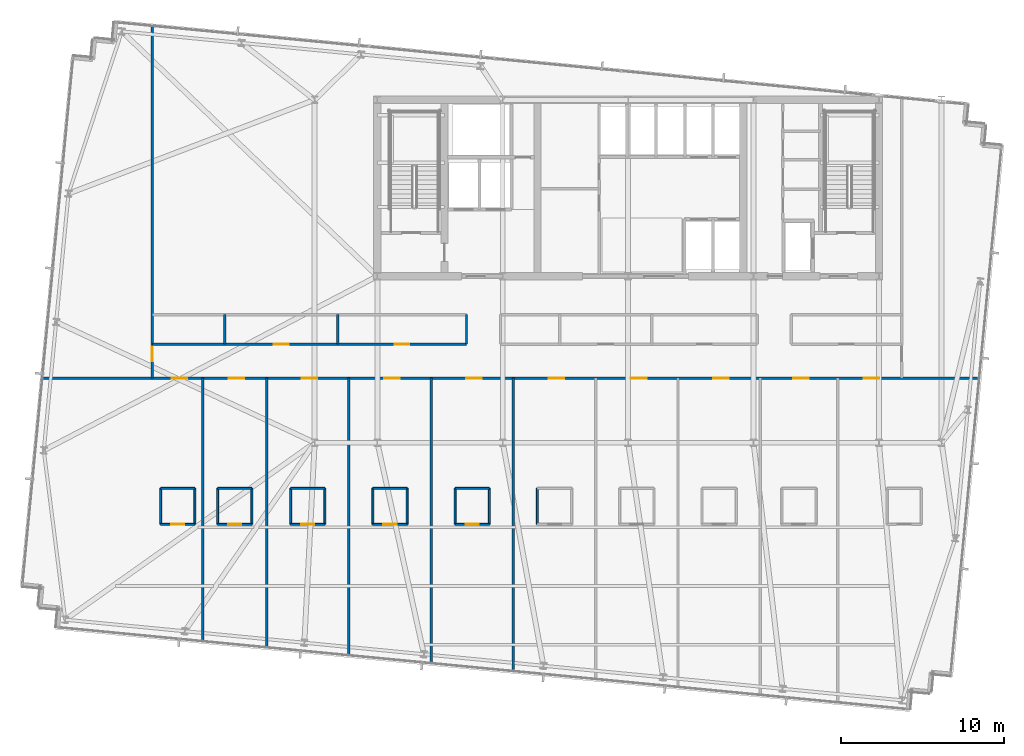
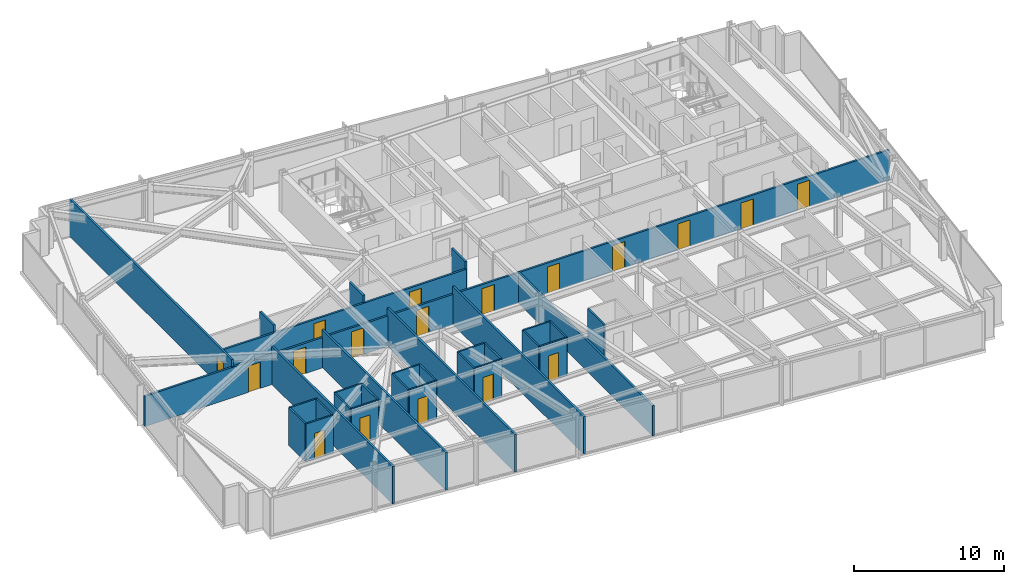
# One storey, part 29 of 38: 32 walls, 18 doors, 18 openings.
"""IFC4 building model written with IfcOpenShell, lengths in metres."""

from ifc_helpers import new_model, si_unit, direction, frame, frame_2d, origin, place, context, subcontext, project, spatial, rectangle, extrude, material, layer, layer_set, type_object, element, fill, save


model = new_model("IFC4")

# Units and contexts
model_context = context("Model", 3, precision=1e-05, world=origin(), true_north=direction((0.0, 1.0)))
body_context = subcontext(model_context, "Body", "Model", "MODEL_VIEW")
ifc_project = project(units=[si_unit("LENGTHUNIT", "METRE"), si_unit("AREAUNIT", "SQUARE_METRE"), si_unit("VOLUMEUNIT", "CUBIC_METRE"), si_unit("PLANEANGLEUNIT", "RADIAN"), si_unit("MASSUNIT", "GRAM", prefix="KILO")], contexts=[model_context])

# Site, building, storey
site_placement = place(None, origin())
site = spatial("IfcSite", under=ifc_project, at=site_placement, CompositionType="ELEMENT")
building_placement = place(site_placement, origin())
building = spatial("IfcBuilding", under=site, at=building_placement, Name="Yelkora Congress Tower", CompositionType="ELEMENT")
storey_placement = place(building_placement, frame((0.0, 0.0, 178.699951171875)))
storey = spatial("IfcBuildingStorey", under=building, at=storey_placement, Name="L49", CompositionType="ELEMENT", Elevation=178.699951171875)

# Walls
ifc_material_1 = material(Name="Moisture-resistant gypsum partition", Category="gypsum")
ifc_layer_1 = layer(ifc_material_1, 0.1201171875)
ifc_layer_set_1 = layer_set([ifc_layer_1], Name="Moisture-resistant gypsum partition")
wall_type_1 = type_object("IfcWallType", Name="WALL-INT-120-NR", PredefinedType="PARTITIONING", material=ifc_layer_set_1)
wall_1_placement = place(storey_placement, frame((9.758056640625, 22.39990234375, 0.0), z_axis=(0.0, 0.0, 1.0), x_axis=(1.0, 0.0, 0.0)))
element("IfcWall", 1, at=wall_1_placement, inside=storey, type_object=wall_type_1, Name="L49 Partition Wall 28", PredefinedType="PARTITIONING", context=body_context, shape_type="SweptSolid", body=[
    extrude(rectangle(XDim=2.099853515625, YDim=0.1201171875, at=frame_2d((1.0498046875, 0.0))), origin(), (0.0, 0.0, 1.0), 3.080078125),
])
for number, where, z_axis, x_axis, name in (
    (2, (9.758056640625, 20.199951171875, 0.0), (0.0, 0.0, 1.0), (0.0, 1.0, 0.0), "L49 Partition Wall 29"),
    (3, (11.85791015625, 20.199951171875, 0.0), (0.0, 0.0, 1.0), (0.0, 1.0, 0.0), "L49 Partition Wall 30"),
):
    element("IfcWall", number, at=place(storey_placement, frame(where, z_axis=z_axis, x_axis=x_axis)), inside=storey, type_object=wall_type_1, Name=name, PredefinedType="PARTITIONING", context=body_context, shape_type="SweptSolid", body=[
        extrude(rectangle(XDim=2.199951171875, YDim=0.1201171875, at=frame_2d((1.10009765625, 0.0))), origin(), (0.0, 0.0, 1.0), 3.080078125),
    ])

# Wall, opening, door
wall_2_placement = place(storey_placement, frame((9.758056640625, 20.199951171875, 0.0), z_axis=(0.0, 0.0, 1.0), x_axis=(1.0, 0.0, 0.0)))
wall_2 = element("IfcWall", 4, at=wall_2_placement, inside=storey, type_object=wall_type_1, Name="L49 Partition Wall 31", PredefinedType="PARTITIONING", context=body_context, shape_type="SweptSolid", body=[
    extrude(rectangle(XDim=2.099853515625, YDim=0.1201171875, at=frame_2d((1.0498046875, 0.0))), origin(), (0.0, 0.0, 1.0), 3.080078125),
])
opening_1_placement = place(wall_2_placement, frame((0.64990234375, 0.0, 0.0)))
opening_1 = element("IfcOpeningElement", 5, at=opening_1_placement, cuts=wall_2, Name="Opening DR-080B", PredefinedType="OPENING", context=body_context, shape_type="SweptSolid", body=[
    extrude(rectangle(XDim=0.800048828125, YDim=2.10009765625, at=frame_2d((0.39990234375, 1.050048828125))), frame((0.0, 0.070068359375, 0.0), z_axis=(0.0, -1.0, 0.0), x_axis=(1.0, 0.0, 0.0)), (0.0, 0.0, 1.0), 0.14013671875),
])
ifc_material_2 = material(Name="Moisture-sealed en-suite timber door", Category="wood")
door_type_1 = type_object("IfcDoorType", Name="DOOR-BATH-800", OperationType="NOTDEFINED", PredefinedType="DOOR", material=ifc_material_2)
door_1_placement = place(opening_1_placement, origin())
door_1 = element("IfcDoor", 6, at=door_1_placement, inside=storey, type_object=door_type_1, Name="L49 En-suite Door 1", OperationType="SINGLE_SWING_RIGHT", OverallHeight=2.10009765625, OverallWidth=0.800048828125, PredefinedType="DOOR", context=body_context, shape_type="SweptSolid", body=[
    extrude(rectangle(XDim=0.800048828125, YDim=2.10009765625, at=frame_2d((0.39990234375, 1.050048828125))), frame((0.0, 0.02490234375, 0.0), z_axis=(0.0, -1.0, 0.0), x_axis=(1.0, 0.0, 0.0)), (0.0, 0.0, 1.0), 0.050048828125),
])
fill(opening_1, door_1)

# Walls
wall_3_placement = place(storey_placement, frame((13.2529296875, 22.39990234375, 0.0), z_axis=(0.0, 0.0, 1.0), x_axis=(1.0, 0.0, 0.0)))
element("IfcWall", 7, at=wall_3_placement, inside=storey, type_object=wall_type_1, Name="L49 Partition Wall 32", PredefinedType="PARTITIONING", context=body_context, shape_type="SweptSolid", body=[
    extrude(rectangle(XDim=2.10009765625, YDim=0.1201171875, at=frame_2d((1.050048828125, 0.0))), origin(), (0.0, 0.0, 1.0), 3.080078125),
])
for number, where, z_axis, x_axis, name in (
    (8, (13.2529296875, 20.199951171875, 0.0), (0.0, 0.0, 1.0), (0.0, 1.0, 0.0), "L49 Partition Wall 33"),
    (9, (15.35302734375, 20.199951171875, 0.0), (0.0, 0.0, 1.0), (0.0, 1.0, 0.0), "L49 Partition Wall 34"),
):
    element("IfcWall", number, at=place(storey_placement, frame(where, z_axis=z_axis, x_axis=x_axis)), inside=storey, type_object=wall_type_1, Name=name, PredefinedType="PARTITIONING", context=body_context, shape_type="SweptSolid", body=[
        extrude(rectangle(XDim=2.199951171875, YDim=0.1201171875, at=frame_2d((1.10009765625, 0.0))), origin(), (0.0, 0.0, 1.0), 3.080078125),
    ])

# Wall, opening, door
wall_4_placement = place(storey_placement, frame((13.2529296875, 20.199951171875, 0.0), z_axis=(0.0, 0.0, 1.0), x_axis=(1.0, 0.0, 0.0)))
wall_4 = element("IfcWall", 10, at=wall_4_placement, inside=storey, type_object=wall_type_1, Name="L49 Partition Wall 35", PredefinedType="PARTITIONING", context=body_context, shape_type="SweptSolid", body=[
    extrude(rectangle(XDim=2.10009765625, YDim=0.1201171875, at=frame_2d((1.050048828125, 0.0))), origin(), (0.0, 0.0, 1.0), 3.080078125),
])
opening_2_placement = place(wall_4_placement, frame((0.64990234375, 0.0, 0.0)))
opening_2 = element("IfcOpeningElement", 11, at=opening_2_placement, cuts=wall_4, Name="Opening DR-080B", PredefinedType="OPENING", context=body_context, shape_type="SweptSolid", body=[
    extrude(rectangle(XDim=0.800048828125, YDim=2.10009765625, at=frame_2d((0.39990234375, 1.050048828125))), frame((0.0, 0.070068359375, 0.0), z_axis=(0.0, -1.0, 0.0), x_axis=(1.0, 0.0, 0.0)), (0.0, 0.0, 1.0), 0.14013671875),
])
door_2_placement = place(opening_2_placement, origin())
door_2 = element("IfcDoor", 12, at=door_2_placement, inside=storey, type_object=door_type_1, Name="L49 En-suite Door 2", OperationType="SINGLE_SWING_LEFT", OverallHeight=2.10009765625, OverallWidth=0.800048828125, PredefinedType="DOOR", context=body_context, shape_type="SweptSolid", body=[
    extrude(rectangle(XDim=0.800048828125, YDim=2.10009765625, at=frame_2d((0.39990234375, 1.050048828125))), frame((0.0, 0.02490234375, 0.0), z_axis=(0.0, -1.0, 0.0), x_axis=(1.0, 0.0, 0.0)), (0.0, 0.0, 1.0), 0.050048828125),
])
fill(opening_2, door_2)

# Walls
wall_5_placement = place(storey_placement, frame((17.720947265625, 22.39990234375, 0.0), z_axis=(0.0, 0.0, 1.0), x_axis=(1.0, 0.0, 0.0)))
element("IfcWall", 13, at=wall_5_placement, inside=storey, type_object=wall_type_1, Name="L49 Partition Wall 37", PredefinedType="PARTITIONING", context=body_context, shape_type="SweptSolid", body=[
    extrude(rectangle(XDim=2.10009765625, YDim=0.1201171875, at=frame_2d((1.050048828125, 0.0))), origin(), (0.0, 0.0, 1.0), 3.080078125),
])
for number, where, z_axis, x_axis, name in (
    (14, (17.720947265625, 20.199951171875, 0.0), (0.0, 0.0, 1.0), (0.0, 1.0, 0.0), "L49 Partition Wall 38"),
    (15, (19.821044921875, 20.199951171875, 0.0), (0.0, 0.0, 1.0), (0.0, 1.0, 0.0), "L49 Partition Wall 39"),
):
    element("IfcWall", number, at=place(storey_placement, frame(where, z_axis=z_axis, x_axis=x_axis)), inside=storey, type_object=wall_type_1, Name=name, PredefinedType="PARTITIONING", context=body_context, shape_type="SweptSolid", body=[
        extrude(rectangle(XDim=2.199951171875, YDim=0.1201171875, at=frame_2d((1.10009765625, 0.0))), origin(), (0.0, 0.0, 1.0), 3.080078125),
    ])

# Wall, opening, door
wall_6_placement = place(storey_placement, frame((17.720947265625, 20.199951171875, 0.0), z_axis=(0.0, 0.0, 1.0), x_axis=(1.0, 0.0, 0.0)))
wall_6 = element("IfcWall", 16, at=wall_6_placement, inside=storey, type_object=wall_type_1, Name="L49 Partition Wall 40", PredefinedType="PARTITIONING", context=body_context, shape_type="SweptSolid", body=[
    extrude(rectangle(XDim=2.10009765625, YDim=0.1201171875, at=frame_2d((1.050048828125, 0.0))), origin(), (0.0, 0.0, 1.0), 3.080078125),
])
opening_3_placement = place(wall_6_placement, frame((0.64990234375, 0.0, 0.0)))
opening_3 = element("IfcOpeningElement", 17, at=opening_3_placement, cuts=wall_6, Name="Opening DR-080B", PredefinedType="OPENING", context=body_context, shape_type="SweptSolid", body=[
    extrude(rectangle(XDim=0.800048828125, YDim=2.10009765625, at=frame_2d((0.39990234375, 1.050048828125))), frame((0.0, 0.070068359375, 0.0), z_axis=(0.0, -1.0, 0.0), x_axis=(1.0, 0.0, 0.0)), (0.0, 0.0, 1.0), 0.14013671875),
])
door_3_placement = place(opening_3_placement, origin())
door_3 = element("IfcDoor", 18, at=door_3_placement, inside=storey, type_object=door_type_1, Name="L49 En-suite Door 3", OperationType="SINGLE_SWING_RIGHT", OverallHeight=2.10009765625, OverallWidth=0.800048828125, PredefinedType="DOOR", context=body_context, shape_type="SweptSolid", body=[
    extrude(rectangle(XDim=0.800048828125, YDim=2.10009765625, at=frame_2d((0.39990234375, 1.050048828125))), frame((0.0, 0.02490234375, 0.0), z_axis=(0.0, -1.0, 0.0), x_axis=(1.0, 0.0, 0.0)), (0.0, 0.0, 1.0), 0.050048828125),
])
fill(opening_3, door_3)

# Walls
wall_7_placement = place(storey_placement, frame((22.761962890625, 22.39990234375, 0.0), z_axis=(0.0, 0.0, 1.0), x_axis=(1.0, 0.0, 0.0)))
element("IfcWall", 19, at=wall_7_placement, inside=storey, type_object=wall_type_1, Name="L49 Partition Wall 42", PredefinedType="PARTITIONING", context=body_context, shape_type="SweptSolid", body=[
    extrude(rectangle(XDim=2.10009765625, YDim=0.1201171875, at=frame_2d((1.050048828125, 0.0))), origin(), (0.0, 0.0, 1.0), 3.080078125),
])
for number, where, z_axis, x_axis, name in (
    (20, (22.761962890625, 20.199951171875, 0.0), (0.0, 0.0, 1.0), (0.0, 1.0, 0.0), "L49 Partition Wall 43"),
    (21, (24.862060546875, 20.199951171875, 0.0), (0.0, 0.0, 1.0), (0.0, 1.0, 0.0), "L49 Partition Wall 44"),
):
    element("IfcWall", number, at=place(storey_placement, frame(where, z_axis=z_axis, x_axis=x_axis)), inside=storey, type_object=wall_type_1, Name=name, PredefinedType="PARTITIONING", context=body_context, shape_type="SweptSolid", body=[
        extrude(rectangle(XDim=2.199951171875, YDim=0.1201171875, at=frame_2d((1.10009765625, 0.0))), origin(), (0.0, 0.0, 1.0), 3.080078125),
    ])

# Wall, opening, door
wall_8_placement = place(storey_placement, frame((22.761962890625, 20.199951171875, 0.0), z_axis=(0.0, 0.0, 1.0), x_axis=(1.0, 0.0, 0.0)))
wall_8 = element("IfcWall", 22, at=wall_8_placement, inside=storey, type_object=wall_type_1, Name="L49 Partition Wall 45", PredefinedType="PARTITIONING", context=body_context, shape_type="SweptSolid", body=[
    extrude(rectangle(XDim=2.10009765625, YDim=0.1201171875, at=frame_2d((1.050048828125, 0.0))), origin(), (0.0, 0.0, 1.0), 3.080078125),
])
opening_4_placement = place(wall_8_placement, frame((0.64990234375, 0.0, 0.0)))
opening_4 = element("IfcOpeningElement", 23, at=opening_4_placement, cuts=wall_8, Name="Opening DR-080B", PredefinedType="OPENING", context=body_context, shape_type="SweptSolid", body=[
    extrude(rectangle(XDim=0.800048828125, YDim=2.10009765625, at=frame_2d((0.39990234375, 1.050048828125))), frame((0.0, 0.070068359375, 0.0), z_axis=(0.0, -1.0, 0.0), x_axis=(1.0, 0.0, 0.0)), (0.0, 0.0, 1.0), 0.14013671875),
])
door_4_placement = place(opening_4_placement, origin())
door_4 = element("IfcDoor", 24, at=door_4_placement, inside=storey, type_object=door_type_1, Name="L49 En-suite Door 4", OperationType="SINGLE_SWING_LEFT", OverallHeight=2.10009765625, OverallWidth=0.800048828125, PredefinedType="DOOR", context=body_context, shape_type="SweptSolid", body=[
    extrude(rectangle(XDim=0.800048828125, YDim=2.10009765625, at=frame_2d((0.39990234375, 1.050048828125))), frame((0.0, 0.02490234375, 0.0), z_axis=(0.0, -1.0, 0.0), x_axis=(1.0, 0.0, 0.0)), (0.0, 0.0, 1.0), 0.050048828125),
])
fill(opening_4, door_4)

# Walls
wall_9_placement = place(storey_placement, frame((27.802001953125, 22.39990234375, 0.0), z_axis=(0.0, 0.0, 1.0), x_axis=(1.0, 0.0, 0.0)))
element("IfcWall", 25, at=wall_9_placement, inside=storey, type_object=wall_type_1, Name="L49 Partition Wall 47", PredefinedType="PARTITIONING", context=body_context, shape_type="SweptSolid", body=[
    extrude(rectangle(XDim=2.10009765625, YDim=0.1201171875, at=frame_2d((1.050048828125, 0.0))), origin(), (0.0, 0.0, 1.0), 3.080078125),
])
for number, where, z_axis, x_axis, name in (
    (26, (27.802001953125, 20.199951171875, 0.0), (0.0, 0.0, 1.0), (0.0, 1.0, 0.0), "L49 Partition Wall 48"),
    (27, (29.902099609375, 20.199951171875, 0.0), (0.0, 0.0, 1.0), (0.0, 1.0, 0.0), "L49 Partition Wall 49"),
):
    element("IfcWall", number, at=place(storey_placement, frame(where, z_axis=z_axis, x_axis=x_axis)), inside=storey, type_object=wall_type_1, Name=name, PredefinedType="PARTITIONING", context=body_context, shape_type="SweptSolid", body=[
        extrude(rectangle(XDim=2.199951171875, YDim=0.1201171875, at=frame_2d((1.10009765625, 0.0))), origin(), (0.0, 0.0, 1.0), 3.080078125),
    ])

# Wall, opening, door
wall_10_placement = place(storey_placement, frame((27.802001953125, 20.199951171875, 0.0), z_axis=(0.0, 0.0, 1.0), x_axis=(1.0, 0.0, 0.0)))
wall_10 = element("IfcWall", 28, at=wall_10_placement, inside=storey, type_object=wall_type_1, Name="L49 Partition Wall 50", PredefinedType="PARTITIONING", context=body_context, shape_type="SweptSolid", body=[
    extrude(rectangle(XDim=2.10009765625, YDim=0.1201171875, at=frame_2d((1.050048828125, 0.0))), origin(), (0.0, 0.0, 1.0), 3.080078125),
])
opening_5_placement = place(wall_10_placement, frame((0.64990234375, 0.0, 0.0)))
opening_5 = element("IfcOpeningElement", 29, at=opening_5_placement, cuts=wall_10, Name="Opening DR-080B", PredefinedType="OPENING", context=body_context, shape_type="SweptSolid", body=[
    extrude(rectangle(XDim=0.800048828125, YDim=2.10009765625, at=frame_2d((0.39990234375, 1.050048828125))), frame((0.0, 0.070068359375, 0.0), z_axis=(0.0, -1.0, 0.0), x_axis=(1.0, 0.0, 0.0)), (0.0, 0.0, 1.0), 0.14013671875),
])
door_5_placement = place(opening_5_placement, origin())
door_5 = element("IfcDoor", 30, at=door_5_placement, inside=storey, type_object=door_type_1, Name="L49 En-suite Door 5", OperationType="SINGLE_SWING_RIGHT", OverallHeight=2.10009765625, OverallWidth=0.800048828125, PredefinedType="DOOR", context=body_context, shape_type="SweptSolid", body=[
    extrude(rectangle(XDim=0.800048828125, YDim=2.10009765625, at=frame_2d((0.39990234375, 1.050048828125))), frame((0.0, 0.02490234375, 0.0), z_axis=(0.0, -1.0, 0.0), x_axis=(1.0, 0.0, 0.0)), (0.0, 0.0, 1.0), 0.050048828125),
])
fill(opening_5, door_5)

# Wall
wall_11_placement = place(storey_placement, frame((32.842041015625, 20.199951171875, 0.0), z_axis=(0.0, 0.0, 1.0), x_axis=(0.0, 1.0, 0.0)))
element("IfcWall", 31, at=wall_11_placement, inside=storey, type_object=wall_type_1, Name="L49 Partition Wall 53", PredefinedType="PARTITIONING", context=body_context, shape_type="SweptSolid", body=[
    extrude(rectangle(XDim=2.199951171875, YDim=0.1201171875, at=frame_2d((1.10009765625, 0.0))), origin(), (0.0, 0.0, 1.0), 3.080078125),
])

# Wall, opening, door
ifc_material_3 = material(Name="Acoustic metal-stud gypsum partition", Category="gypsum")
ifc_layer_2 = layer(ifc_material_3, 0.14990234375)
ifc_layer_set_2 = layer_set([ifc_layer_2], Name="Acoustic metal-stud gypsum partition")
wall_type_2 = type_object("IfcWallType", Name="WALL-INT-150-NR", PredefinedType="PARTITIONING", material=ifc_layer_set_2)
wall_12_placement = place(storey_placement, frame((9.260009765625, 29.14990234375, 0.0), z_axis=(0.0, 0.0, 1.0), x_axis=(0.0, 1.0, 0.0)))
wall_12 = element("IfcWall", 32, at=wall_12_placement, inside=storey, type_object=wall_type_2, Name="L49 Partition Wall 78", PredefinedType="PARTITIONING", context=body_context, shape_type="SweptSolid", body=[
    extrude(rectangle(XDim=21.63330078125, YDim=0.14990234375, at=frame_2d((10.816650390625, 0.0))), origin(), (0.0, 0.0, 1.0), 3.080078125),
])
opening_6_placement = place(wall_12_placement, frame((1.030029296875, 0.0, 0.0)))
opening_6 = element("IfcOpeningElement", 33, at=opening_6_placement, cuts=wall_12, Name="Opening DR-090N", PredefinedType="OPENING", context=body_context, shape_type="SweptSolid", body=[
    extrude(rectangle(XDim=0.89990234375, YDim=2.14990234375, at=frame_2d((0.449951171875, 1.074951171875))), frame((0.0, 0.0849609375, 0.0), z_axis=(0.0, -1.0, 0.0), x_axis=(1.0, 0.0, 0.0)), (0.0, 0.0, 1.0), 0.169921875),
])
ifc_material_4 = material(Name="Moisture-resistant laminate door leaf", Category="wood")
door_type_2 = type_object("IfcDoorType", Name="DOOR-INT-900", OperationType="NOTDEFINED", PredefinedType="DOOR", material=ifc_material_4)
door_6_placement = place(opening_6_placement, origin())
door_6 = element("IfcDoor", 34, at=door_6_placement, inside=storey, type_object=door_type_2, Name="L49 W Wing Door", OperationType="SINGLE_SWING_RIGHT", OverallHeight=2.14990234375, OverallWidth=0.89990234375, PredefinedType="DOOR", context=body_context, shape_type="SweptSolid", body=[
    extrude(rectangle(XDim=0.89990234375, YDim=2.14990234375, at=frame_2d((0.449951171875, 1.074951171875))), frame((0.0, 0.02490234375, 0.0), z_axis=(0.0, -1.0, 0.0), x_axis=(1.0, 0.0, 0.0)), (0.0, 0.0, 1.0), 0.050048828125),
])
fill(opening_6, door_6)

# Walls
for number, where, z_axis, x_axis, name in (
    (35, (28.5, 31.22998046875, 0.0), (0.0, 0.0, 1.0), (0.0, 1.0, 0.0), "L49 Partition Wall 80"),
    (36, (13.697998046875, 31.22998046875, 0.0), (0.0, 0.0, 1.0), (0.0, 1.0, 0.0), "L49 Partition Wall 87"),
    (37, (20.614013671875, 31.22998046875, 0.0), (0.0, 0.0, 1.0), (0.0, 1.0, 0.0), "L49 Partition Wall 88"),
):
    element("IfcWall", number, at=place(storey_placement, frame(where, z_axis=z_axis, x_axis=x_axis)), inside=storey, type_object=wall_type_2, Name=name, PredefinedType="PARTITIONING", context=body_context, shape_type="SweptSolid", body=[
        extrude(rectangle(XDim=1.820068359375, YDim=0.14990234375, at=frame_2d((0.91015625, 0.0))), origin(), (0.0, 0.0, 1.0), 3.080078125),
    ])

# Wall, openings, doors
wall_13_placement = place(storey_placement, frame((9.280029296875, 31.22998046875, 0.0), z_axis=(0.0, 0.0, 1.0), x_axis=(1.0, 0.0, 0.0)))
wall_13 = element("IfcWall", 38, at=wall_13_placement, inside=storey, type_object=wall_type_2, Name="L49 Partition Wall 89", PredefinedType="PARTITIONING", context=body_context, shape_type="SweptSolid", body=[
    extrude(rectangle(XDim=19.2099609375, YDim=0.14990234375, at=frame_2d((9.60498046875, 0.0))), origin(), (0.0, 0.0, 1.0), 2.47509765625),
])
opening_7_placement = place(wall_13_placement, frame((7.426025390625, 0.0, 0.0)))
opening_7 = element("IfcOpeningElement", 39, at=opening_7_placement, cuts=wall_13, Name="Opening DR-090N", PredefinedType="OPENING", context=body_context, shape_type="SweptSolid", body=[
    extrude(rectangle(XDim=0.89990234375, YDim=2.14990234375, at=frame_2d((0.449951171875, 1.074951171875))), frame((0.0, 0.0849609375, 0.0), z_axis=(0.0, -1.0, 0.0), x_axis=(1.0, 0.0, 0.0)), (0.0, 0.0, 1.0), 0.169921875),
])
opening_8_placement = place(wall_13_placement, frame((14.822021484375, 0.0, 0.0)))
opening_8 = element("IfcOpeningElement", 40, at=opening_8_placement, cuts=wall_13, Name="Opening DR-090N", PredefinedType="OPENING", context=body_context, shape_type="SweptSolid", body=[
    extrude(rectangle(XDim=0.89990234375, YDim=2.14990234375, at=frame_2d((0.449951171875, 1.074951171875))), frame((0.0, 0.0849609375, 0.0), z_axis=(0.0, -1.0, 0.0), x_axis=(1.0, 0.0, 0.0)), (0.0, 0.0, 1.0), 0.169921875),
])
door_7_placement = place(opening_7_placement, origin())
door_7 = element("IfcDoor", 41, at=door_7_placement, inside=storey, type_object=door_type_2, Name="L49 Hospitality Pantry Door", OperationType="SINGLE_SWING_RIGHT", OverallHeight=2.14990234375, OverallWidth=0.89990234375, PredefinedType="DOOR", context=body_context, shape_type="SweptSolid", body=[
    extrude(rectangle(XDim=0.89990234375, YDim=2.14990234375, at=frame_2d((0.449951171875, 1.074951171875))), frame((0.0, 0.02490234375, 0.0), z_axis=(0.0, -1.0, 0.0), x_axis=(1.0, 0.0, 0.0)), (0.0, 0.0, 1.0), 0.050048828125),
])
fill(opening_7, door_7)
door_8_placement = place(opening_8_placement, origin())
door_8 = element("IfcDoor", 42, at=door_8_placement, inside=storey, type_object=door_type_2, Name="L49 Staff Operations Room Door", OperationType="SINGLE_SWING_LEFT", OverallHeight=2.14990234375, OverallWidth=0.89990234375, PredefinedType="DOOR", context=body_context, shape_type="SweptSolid", body=[
    extrude(rectangle(XDim=0.89990234375, YDim=2.14990234375, at=frame_2d((0.449951171875, 1.074951171875))), frame((0.0, 0.02490234375, 0.0), z_axis=(0.0, -1.0, 0.0), x_axis=(1.0, 0.0, 0.0)), (0.0, 0.0, 1.0), 0.050048828125),
])
fill(opening_8, door_8)

# Walls
ifc_material_5 = material(Name="Twin-stud fire-rated gypsum partition", Category="gypsum")
ifc_layer_3 = layer(ifc_material_5, 0.14990234375)
ifc_layer_set_3 = layer_set([ifc_layer_3], Name="Twin-stud fire-rated gypsum partition")
wall_type_3 = type_object("IfcWallType", Name="WALL-INT-150-R60", PredefinedType="PARTITIONING", material=ifc_layer_set_3)
wall_14_placement = place(storey_placement, frame((12.35498046875, 12.972412109375, 0.0), z_axis=(0.0, 0.0, 1.0), x_axis=(0.0, 1.0, 0.0)))
element("IfcWall", 43, at=wall_14_placement, inside=storey, type_object=wall_type_3, Name="L49 Partition Wall 36", PredefinedType="PARTITIONING", context=body_context, shape_type="SweptSolid", body=[
    extrude(rectangle(XDim=16.197509765625, YDim=0.14990234375, at=frame_2d((8.0986328125, 0.0))), origin(), (0.0, 0.0, 1.0), 3.080078125),
])
wall_15_placement = place(storey_placement, frame((16.2509765625, 12.59716796875, 0.0), z_axis=(0.0, 0.0, 1.0), x_axis=(0.0, 1.0, 0.0)))
element("IfcWall", 44, at=wall_15_placement, inside=storey, type_object=wall_type_3, Name="L49 Partition Wall 41", PredefinedType="PARTITIONING", context=body_context, shape_type="SweptSolid", body=[
    extrude(rectangle(XDim=16.57275390625, YDim=0.14990234375, at=frame_2d((8.286376953125, 0.0))), origin(), (0.0, 0.0, 1.0), 3.080078125),
])
wall_16_placement = place(storey_placement, frame((21.291015625, 12.11181640625, 0.0), z_axis=(0.0, 0.0, 1.0), x_axis=(0.0, 1.0, 0.0)))
element("IfcWall", 45, at=wall_16_placement, inside=storey, type_object=wall_type_3, Name="L49 Partition Wall 46", PredefinedType="PARTITIONING", context=body_context, shape_type="SweptSolid", body=[
    extrude(rectangle(XDim=17.05810546875, YDim=0.14990234375, at=frame_2d((8.529052734375, 0.0))), origin(), (0.0, 0.0, 1.0), 3.080078125),
])
wall_17_placement = place(storey_placement, frame((26.33203125, 11.62646484375, 0.0), z_axis=(0.0, 0.0, 1.0), x_axis=(0.0, 1.0, 0.0)))
element("IfcWall", 46, at=wall_17_placement, inside=storey, type_object=wall_type_3, Name="L49 Partition Wall 51", PredefinedType="PARTITIONING", context=body_context, shape_type="SweptSolid", body=[
    extrude(rectangle(XDim=17.54345703125, YDim=0.14990234375, at=frame_2d((8.771728515625, 0.0))), origin(), (0.0, 0.0, 1.0), 3.080078125),
])
wall_18_placement = place(storey_placement, frame((31.3720703125, 11.14111328125, 0.0), z_axis=(0.0, 0.0, 1.0), x_axis=(0.0, 1.0, 0.0)))
element("IfcWall", 47, at=wall_18_placement, inside=storey, type_object=wall_type_3, Name="L49 Partition Wall 56", PredefinedType="PARTITIONING", context=body_context, shape_type="SweptSolid", body=[
    extrude(rectangle(XDim=18.02880859375, YDim=0.14990234375, at=frame_2d((9.014404296875, 0.0))), origin(), (0.0, 0.0, 1.0), 2.47509765625),
])

# Wall, openings, doors
wall_19_placement = place(storey_placement, frame((2.460205078125, 29.14990234375, 0.0), z_axis=(0.0, 0.0, 1.0), x_axis=(1.0, 0.0, 0.0)))
wall_19 = element("IfcWall", 48, at=wall_19_placement, inside=storey, type_object=wall_type_3, Name="L49 South Spine Wall", PredefinedType="PARTITIONING", context=body_context, shape_type="SweptSolid", body=[
    extrude(rectangle(XDim=57.5048828125, YDim=0.14990234375, at=frame_2d((28.75244140625, 0.0))), origin(), (0.0, 0.0, 1.0), 2.47509765625),
])
opening_9_placement = place(wall_19_placement, frame((7.9873046875, 0.0, 0.0)))
opening_9 = element("IfcOpeningElement", 49, at=opening_9_placement, cuts=wall_19, Name="Opening DR-095F6", PredefinedType="OPENING", context=body_context, shape_type="SweptSolid", body=[
    extrude(rectangle(XDim=0.949951171875, YDim=2.14990234375, at=frame_2d((0.47509765625, 1.074951171875))), frame((0.0, 0.0849609375, 0.0), z_axis=(0.0, -1.0, 0.0), x_axis=(1.0, 0.0, 0.0)), (0.0, 0.0, 1.0), 0.169921875),
])
opening_10_placement = place(wall_19_placement, frame((11.482666015625, 0.0, 0.0)))
opening_10 = element("IfcOpeningElement", 50, at=opening_10_placement, cuts=wall_19, Name="Opening DR-095F6", PredefinedType="OPENING", context=body_context, shape_type="SweptSolid", body=[
    extrude(rectangle(XDim=0.949951171875, YDim=2.14990234375, at=frame_2d((0.47509765625, 1.074951171875))), frame((0.0, 0.0849609375, 0.0), z_axis=(0.0, -1.0, 0.0), x_axis=(1.0, 0.0, 0.0)), (0.0, 0.0, 1.0), 0.169921875),
])
opening_11_placement = place(wall_19_placement, frame((15.95068359375, 0.0, 0.0)))
opening_11 = element("IfcOpeningElement", 51, at=opening_11_placement, cuts=wall_19, Name="Opening DR-095F6", PredefinedType="OPENING", context=body_context, shape_type="SweptSolid", body=[
    extrude(rectangle(XDim=0.949951171875, YDim=2.14990234375, at=frame_2d((0.47509765625, 1.074951171875))), frame((0.0, 0.0849609375, 0.0), z_axis=(0.0, -1.0, 0.0), x_axis=(1.0, 0.0, 0.0)), (0.0, 0.0, 1.0), 0.169921875),
])
opening_12_placement = place(wall_19_placement, frame((20.9912109375, 0.0, 0.0)))
opening_12 = element("IfcOpeningElement", 52, at=opening_12_placement, cuts=wall_19, Name="Opening DR-095F6", PredefinedType="OPENING", context=body_context, shape_type="SweptSolid", body=[
    extrude(rectangle(XDim=0.949951171875, YDim=2.14990234375, at=frame_2d((0.47509765625, 1.074951171875))), frame((0.0, 0.0849609375, 0.0), z_axis=(0.0, -1.0, 0.0), x_axis=(1.0, 0.0, 0.0)), (0.0, 0.0, 1.0), 0.169921875),
])
opening_13_placement = place(wall_19_placement, frame((26.03173828125, 0.0, 0.0)))
opening_13 = element("IfcOpeningElement", 53, at=opening_13_placement, cuts=wall_19, Name="Opening DR-095F6", PredefinedType="OPENING", context=body_context, shape_type="SweptSolid", body=[
    extrude(rectangle(XDim=0.949951171875, YDim=2.14990234375, at=frame_2d((0.47509765625, 1.074951171875))), frame((0.0, 0.0849609375, 0.0), z_axis=(0.0, -1.0, 0.0), x_axis=(1.0, 0.0, 0.0)), (0.0, 0.0, 1.0), 0.169921875),
])
opening_14_placement = place(wall_19_placement, frame((31.072265625, 0.0, 0.0)))
opening_14 = element("IfcOpeningElement", 54, at=opening_14_placement, cuts=wall_19, Name="Opening DR-095F6", PredefinedType="OPENING", context=body_context, shape_type="SweptSolid", body=[
    extrude(rectangle(XDim=0.949951171875, YDim=2.14990234375, at=frame_2d((0.47509765625, 1.074951171875))), frame((0.0, 0.0849609375, 0.0), z_axis=(0.0, -1.0, 0.0), x_axis=(1.0, 0.0, 0.0)), (0.0, 0.0, 1.0), 0.169921875),
])
opening_15_placement = place(wall_19_placement, frame((36.11328125, 0.0, 0.0)))
opening_15 = element("IfcOpeningElement", 55, at=opening_15_placement, cuts=wall_19, Name="Opening DR-095F6", PredefinedType="OPENING", context=body_context, shape_type="SweptSolid", body=[
    extrude(rectangle(XDim=0.949951171875, YDim=2.14990234375, at=frame_2d((0.47509765625, 1.074951171875))), frame((0.0, 0.0849609375, 0.0), z_axis=(0.0, -1.0, 0.0), x_axis=(1.0, 0.0, 0.0)), (0.0, 0.0, 1.0), 0.169921875),
])
opening_16_placement = place(wall_19_placement, frame((41.15380859375, 0.0, 0.0)))
opening_16 = element("IfcOpeningElement", 56, at=opening_16_placement, cuts=wall_19, Name="Opening DR-095F6", PredefinedType="OPENING", context=body_context, shape_type="SweptSolid", body=[
    extrude(rectangle(XDim=0.949951171875, YDim=2.14990234375, at=frame_2d((0.47509765625, 1.074951171875))), frame((0.0, 0.0849609375, 0.0), z_axis=(0.0, -1.0, 0.0), x_axis=(1.0, 0.0, 0.0)), (0.0, 0.0, 1.0), 0.169921875),
])
opening_17_placement = place(wall_19_placement, frame((46.041748046875, 0.0, 0.0)))
opening_17 = element("IfcOpeningElement", 57, at=opening_17_placement, cuts=wall_19, Name="Opening DR-095F6", PredefinedType="OPENING", context=body_context, shape_type="SweptSolid", body=[
    extrude(rectangle(XDim=0.949951171875, YDim=2.14990234375, at=frame_2d((0.47509765625, 1.074951171875))), frame((0.0, 0.0849609375, 0.0), z_axis=(0.0, -1.0, 0.0), x_axis=(1.0, 0.0, 0.0)), (0.0, 0.0, 1.0), 0.169921875),
])
opening_18_placement = place(wall_19_placement, frame((50.377197265625, 0.0, 0.0)))
opening_18 = element("IfcOpeningElement", 58, at=opening_18_placement, cuts=wall_19, Name="Opening DR-095F6", PredefinedType="OPENING", context=body_context, shape_type="SweptSolid", body=[
    extrude(rectangle(XDim=0.949951171875, YDim=2.14990234375, at=frame_2d((0.47509765625, 1.074951171875))), frame((0.0, 0.0849609375, 0.0), z_axis=(0.0, -1.0, 0.0), x_axis=(1.0, 0.0, 0.0)), (0.0, 0.0, 1.0), 0.169921875),
])
ifc_material_6 = material(Name="Acoustic oak-veneer fire door leaf", Category="wood")
door_type_3 = type_object("IfcDoorType", Name="DOOR-FD60-950", OperationType="NOTDEFINED", PredefinedType="DOOR", material=ifc_material_6)
door_9_placement = place(opening_9_placement, origin())
door_9 = element("IfcDoor", 59, at=door_9_placement, inside=storey, type_object=door_type_3, Name="L49 Diplomatic Suite 01 Entry Door", OperationType="SINGLE_SWING_RIGHT", OverallHeight=2.14990234375, OverallWidth=0.949951171875, PredefinedType="DOOR", context=body_context, shape_type="SweptSolid", body=[
    extrude(rectangle(XDim=0.949951171875, YDim=2.14990234375, at=frame_2d((0.47509765625, 1.074951171875))), frame((0.0, 0.02490234375, 0.0), z_axis=(0.0, -1.0, 0.0), x_axis=(1.0, 0.0, 0.0)), (0.0, 0.0, 1.0), 0.050048828125),
])
fill(opening_9, door_9)
door_10_placement = place(opening_10_placement, origin())
door_10 = element("IfcDoor", 60, at=door_10_placement, inside=storey, type_object=door_type_3, Name="L49 Diplomatic Suite 02 Entry Door", OperationType="SINGLE_SWING_LEFT", OverallHeight=2.14990234375, OverallWidth=0.949951171875, PredefinedType="DOOR", context=body_context, shape_type="SweptSolid", body=[
    extrude(rectangle(XDim=0.949951171875, YDim=2.14990234375, at=frame_2d((0.47509765625, 1.074951171875))), frame((0.0, 0.02490234375, 0.0), z_axis=(0.0, -1.0, 0.0), x_axis=(1.0, 0.0, 0.0)), (0.0, 0.0, 1.0), 0.050048828125),
])
fill(opening_10, door_10)
door_11_placement = place(opening_11_placement, origin())
door_11 = element("IfcDoor", 61, at=door_11_placement, inside=storey, type_object=door_type_3, Name="L49 Diplomatic Suite 03 Entry Door", OperationType="SINGLE_SWING_RIGHT", OverallHeight=2.14990234375, OverallWidth=0.949951171875, PredefinedType="DOOR", context=body_context, shape_type="SweptSolid", body=[
    extrude(rectangle(XDim=0.949951171875, YDim=2.14990234375, at=frame_2d((0.47509765625, 1.074951171875))), frame((0.0, 0.02490234375, 0.0), z_axis=(0.0, -1.0, 0.0), x_axis=(1.0, 0.0, 0.0)), (0.0, 0.0, 1.0), 0.050048828125),
])
fill(opening_11, door_11)
door_12_placement = place(opening_12_placement, origin())
door_12 = element("IfcDoor", 62, at=door_12_placement, inside=storey, type_object=door_type_3, Name="L49 Diplomatic Suite 04 Entry Door", OperationType="SINGLE_SWING_LEFT", OverallHeight=2.14990234375, OverallWidth=0.949951171875, PredefinedType="DOOR", context=body_context, shape_type="SweptSolid", body=[
    extrude(rectangle(XDim=0.949951171875, YDim=2.14990234375, at=frame_2d((0.47509765625, 1.074951171875))), frame((0.0, 0.02490234375, 0.0), z_axis=(0.0, -1.0, 0.0), x_axis=(1.0, 0.0, 0.0)), (0.0, 0.0, 1.0), 0.050048828125),
])
fill(opening_12, door_12)
door_13_placement = place(opening_13_placement, origin())
door_13 = element("IfcDoor", 63, at=door_13_placement, inside=storey, type_object=door_type_3, Name="L49 Diplomatic Suite 05 Entry Door", OperationType="SINGLE_SWING_RIGHT", OverallHeight=2.14990234375, OverallWidth=0.949951171875, PredefinedType="DOOR", context=body_context, shape_type="SweptSolid", body=[
    extrude(rectangle(XDim=0.949951171875, YDim=2.14990234375, at=frame_2d((0.47509765625, 1.074951171875))), frame((0.0, 0.02490234375, 0.0), z_axis=(0.0, -1.0, 0.0), x_axis=(1.0, 0.0, 0.0)), (0.0, 0.0, 1.0), 0.050048828125),
])
fill(opening_13, door_13)
door_14_placement = place(opening_14_placement, origin())
door_14 = element("IfcDoor", 64, at=door_14_placement, inside=storey, type_object=door_type_3, Name="L49 Diplomatic Suite 06 Entry Door", OperationType="SINGLE_SWING_LEFT", OverallHeight=2.14990234375, OverallWidth=0.949951171875, PredefinedType="DOOR", context=body_context, shape_type="SweptSolid", body=[
    extrude(rectangle(XDim=0.949951171875, YDim=2.14990234375, at=frame_2d((0.47509765625, 1.074951171875))), frame((0.0, 0.02490234375, 0.0), z_axis=(0.0, -1.0, 0.0), x_axis=(1.0, 0.0, 0.0)), (0.0, 0.0, 1.0), 0.050048828125),
])
fill(opening_14, door_14)
door_15_placement = place(opening_15_placement, origin())
door_15 = element("IfcDoor", 65, at=door_15_placement, inside=storey, type_object=door_type_3, Name="L49 Diplomatic Suite 07 Entry Door", OperationType="SINGLE_SWING_RIGHT", OverallHeight=2.14990234375, OverallWidth=0.949951171875, PredefinedType="DOOR", context=body_context, shape_type="SweptSolid", body=[
    extrude(rectangle(XDim=0.949951171875, YDim=2.14990234375, at=frame_2d((0.47509765625, 1.074951171875))), frame((0.0, 0.02490234375, 0.0), z_axis=(0.0, -1.0, 0.0), x_axis=(1.0, 0.0, 0.0)), (0.0, 0.0, 1.0), 0.050048828125),
])
fill(opening_15, door_15)
door_16_placement = place(opening_16_placement, origin())
door_16 = element("IfcDoor", 66, at=door_16_placement, inside=storey, type_object=door_type_3, Name="L49 Diplomatic Suite 08 Entry Door", OperationType="SINGLE_SWING_LEFT", OverallHeight=2.14990234375, OverallWidth=0.949951171875, PredefinedType="DOOR", context=body_context, shape_type="SweptSolid", body=[
    extrude(rectangle(XDim=0.949951171875, YDim=2.14990234375, at=frame_2d((0.47509765625, 1.074951171875))), frame((0.0, 0.02490234375, 0.0), z_axis=(0.0, -1.0, 0.0), x_axis=(1.0, 0.0, 0.0)), (0.0, 0.0, 1.0), 0.050048828125),
])
fill(opening_16, door_16)
door_17_placement = place(opening_17_placement, origin())
door_17 = element("IfcDoor", 67, at=door_17_placement, inside=storey, type_object=door_type_3, Name="L49 Diplomatic Suite 09 Entry Door", OperationType="SINGLE_SWING_RIGHT", OverallHeight=2.14990234375, OverallWidth=0.949951171875, PredefinedType="DOOR", context=body_context, shape_type="SweptSolid", body=[
    extrude(rectangle(XDim=0.949951171875, YDim=2.14990234375, at=frame_2d((0.47509765625, 1.074951171875))), frame((0.0, 0.02490234375, 0.0), z_axis=(0.0, -1.0, 0.0), x_axis=(1.0, 0.0, 0.0)), (0.0, 0.0, 1.0), 0.050048828125),
])
fill(opening_17, door_17)
door_18_placement = place(opening_18_placement, origin())
door_18 = element("IfcDoor", 68, at=door_18_placement, inside=storey, type_object=door_type_3, Name="L49 Diplomatic Suite 10 Entry Door", OperationType="SINGLE_SWING_LEFT", OverallHeight=2.14990234375, OverallWidth=0.949951171875, PredefinedType="DOOR", context=body_context, shape_type="SweptSolid", body=[
    extrude(rectangle(XDim=0.949951171875, YDim=2.14990234375, at=frame_2d((0.47509765625, 1.074951171875))), frame((0.0, 0.02490234375, 0.0), z_axis=(0.0, -1.0, 0.0), x_axis=(1.0, 0.0, 0.0)), (0.0, 0.0, 1.0), 0.050048828125),
])
fill(opening_18, door_18)

save(model, "model.ifc")
